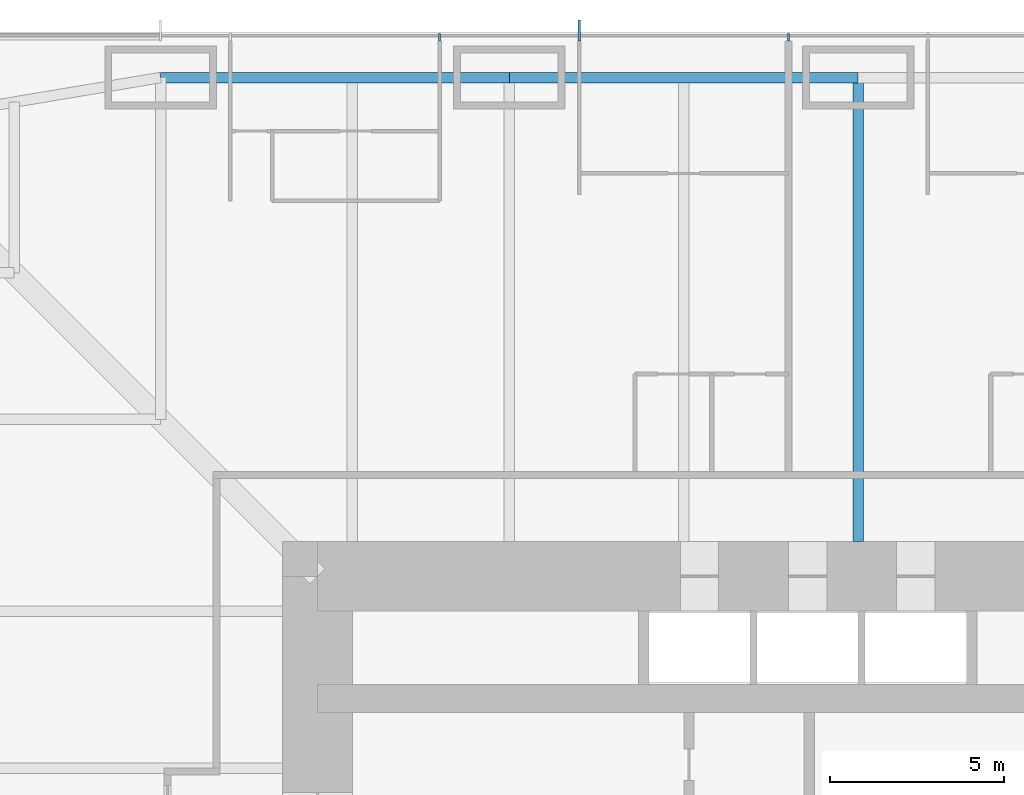
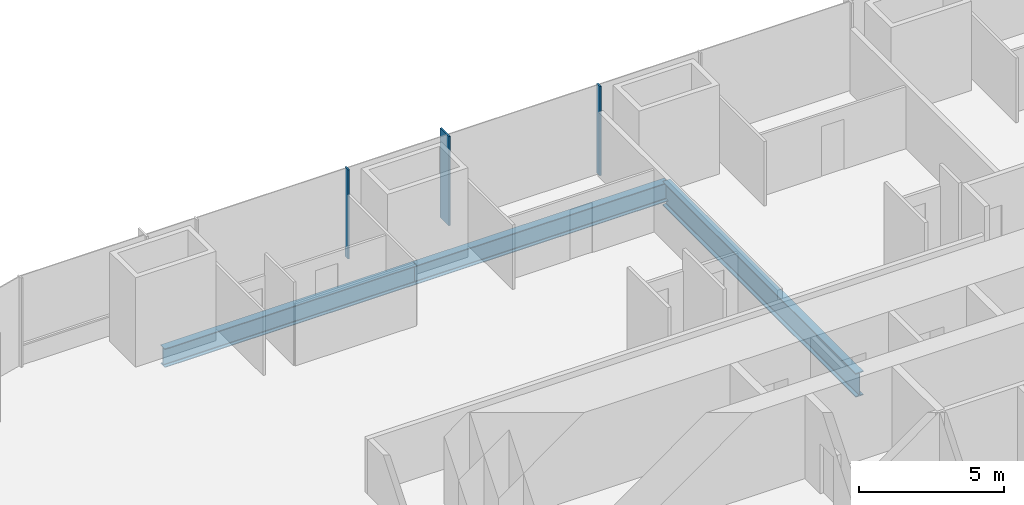
# One storey, part 7 of 17: 3 beams, 3 members, 1 element without a shape of its own.
"""IFC4 building model written with IfcOpenShell, lengths in metres."""

from ifc_helpers import new_model, si_unit, direction, frame, origin, origin_2d, place, context, subcontext, project, spatial, rectangle, i_section, extrude, material, material_profile, profile_set, type_object, element, aggregate, save


model = new_model("IFC4")

# Units and contexts
model_context = context("Model", 3, precision=1e-05, world=origin(), true_north=direction((0.0, 1.0)))
body_context = subcontext(model_context, "Body", "Model", "MODEL_VIEW")
ifc_project = project(units=[si_unit("LENGTHUNIT", "METRE"), si_unit("AREAUNIT", "SQUARE_METRE"), si_unit("VOLUMEUNIT", "CUBIC_METRE"), si_unit("PLANEANGLEUNIT", "RADIAN"), si_unit("MASSUNIT", "GRAM", prefix="KILO")], contexts=[model_context])

# Site, building, storey
site_placement = place(None, origin())
site = spatial("IfcSite", under=ifc_project, at=site_placement, CompositionType="ELEMENT")
building_placement = place(site_placement, origin())
building = spatial("IfcBuilding", under=site, at=building_placement, Name="Khuree Lantern Residences", CompositionType="ELEMENT")
storey_placement = place(building_placement, frame((0.0, 0.0, 84.75)))
storey = spatial("IfcBuildingStorey", under=building, at=storey_placement, Name="L21", CompositionType="ELEMENT", Elevation=84.75)

# Beams
ifc_material_1 = material(Name="Steel S355", Category="steel")
ifc_material_profile_1 = material_profile(ifc_material_1, i_section(OverallWidth=0.300048828125, OverallDepth=0.7900390625, WebThickness=0.014892578125, FlangeThickness=0.028076171875, FilletRadius=0.030029296875, at=origin_2d()), Name="HE 800 A")
ifc_profile_set_1 = profile_set([ifc_material_profile_1], Name="Steel S355")
beam_type_1 = type_object("IfcBeamType", Name="E-15 SPANDREL BEAM HE 800 A", PredefinedType="SPANDREL", material=ifc_profile_set_1)
for number, where, z_axis, x_axis, name in (
    (1, (-20.0, 29.800048828125, -0.64501953125), (1.0, 0.0, 0.0), (0.0, 1.0, 0.0), "Spandrel beam N1"),
    (2, (-10.0, 29.800048828125, -0.64501953125), (1.0, 0.0, 0.0), (0.0, 1.0, 0.0), "Spandrel beam N2"),
):
    element("IfcBeam", number, at=place(storey_placement, frame(where, z_axis=z_axis, x_axis=x_axis)), inside=storey, type_object=beam_type_1, Name=name, PredefinedType="SPANDREL", context=body_context, shape_type="SweptSolid", body=[
        extrude(i_section(OverallWidth=0.300048828125, OverallDepth=0.7900390625, WebThickness=0.014892578125, FlangeThickness=0.028076171875, FilletRadius=0.030029296875, at=origin_2d()), origin(), (0.0, 0.0, 1.0), 10.0),
    ])

# Curtain wall, member
ifc_material_2 = material(Name="Bronze anodised aluminium", Category="aluminium")
curtain_wall_type = type_object("IfcCurtainWallType", Name="CW-T1 TOWER FACE CURTAIN WALL", PredefinedType="USERDEFINED", material=ifc_material_2)
curtain_wall_placement = place(storey_placement, origin())
curtain_wall = element("IfcCurtainWall", 3, at=curtain_wall_placement, inside=storey, type_object=curtain_wall_type, Name="L21 NORTH FACE CURTAIN WALL", ObjectType="Stick-built curtain wall", PredefinedType="USERDEFINED")
ifc_material_profile_2 = material_profile(ifc_material_2, rectangle(XDim=0.06494140625, YDim=0.60009765625, at=origin_2d()), Name="F1 65X600")
ifc_profile_set_2 = profile_set([ifc_material_profile_2], Name="Bronze anodised aluminium")
member_type_1 = type_object("IfcMemberType", Name="F1 BRONZE FIN MULLION TOWER 65X600", PredefinedType="MULLION", material=ifc_profile_set_2)
member_1_placement = place(storey_placement, frame((-8.0, 31.14990234375, 0.0), z_axis=(0.0, 0.0, 1.0), x_axis=(-1.0, 0.0, 0.0)))
member_1 = element("IfcMember", 4, at=member_1_placement, type_object=member_type_1, Name="L21 NORTH FACE FIN MULLION 25", PredefinedType="MULLION", context=body_context, shape_type="SweptSolid", body=[
    extrude(rectangle(XDim=0.06494140625, YDim=0.60009765625, at=origin_2d()), origin(), (0.0, 0.0, 1.0), 3.75),
])

# Beam
ifc_material_profile_3 = material_profile(ifc_material_1, i_section(OverallWidth=0.302001953125, OverallDepth=1.008056640625, WebThickness=0.02099609375, FlangeThickness=0.0400390625, FilletRadius=0.030029296875, at=origin_2d()), Name="HE 1000 M")
ifc_profile_set_3 = profile_set([ifc_material_profile_3], Name="Steel S355")
beam_type_2 = type_object("IfcBeamType", Name="G-15 GIRDER HE 1000 M", PredefinedType="BEAM", material=ifc_profile_set_3)
beam_placement = place(storey_placement, frame((0.0, 29.800048828125, -0.75390625), z_axis=(0.0, -1.0, 0.0), x_axis=(1.0, 0.0, 0.0)))
element("IfcBeam", 5, at=beam_placement, inside=storey, type_object=beam_type_2, Name="Girder N3", PredefinedType="BEAM", context=body_context, shape_type="SweptSolid", body=[
    extrude(i_section(OverallWidth=0.302001953125, OverallDepth=1.008056640625, WebThickness=0.02099609375, FlangeThickness=0.0400390625, FilletRadius=0.030029296875, at=origin_2d()), origin(), (0.0, 0.0, 1.0), 13.300048828125),
])

# Member
ifc_material_profile_4 = material_profile(ifc_material_2, rectangle(XDim=0.06494140625, YDim=0.219970703125, at=origin_2d()), Name="M1 65X220")
ifc_profile_set_4 = profile_set([ifc_material_profile_4], Name="Bronze anodised aluminium")
member_type_2 = type_object("IfcMemberType", Name="M1 BRONZE MULLION TOWER 65X220", PredefinedType="MULLION", material=ifc_profile_set_4)
member_2_placement = place(storey_placement, frame((-2.0, 30.9599609375, 0.0), z_axis=(0.0, 0.0, 1.0), x_axis=(-1.0, 0.0, 0.0)))
member_2 = element("IfcMember", 6, at=member_2_placement, type_object=member_type_2, Name="L21 NORTH FACE MULLION 24", PredefinedType="MULLION", context=body_context, shape_type="SweptSolid", body=[
    extrude(rectangle(XDim=0.06494140625, YDim=0.219970703125, at=origin_2d()), origin(), (0.0, 0.0, 1.0), 3.75),
])

member_3_placement = place(storey_placement, frame((-12.0, 30.9599609375, 0.0), z_axis=(0.0, 0.0, 1.0), x_axis=(-1.0, 0.0, 0.0)))
member_3 = element("IfcMember", 7, at=member_3_placement, type_object=member_type_2, Name="L21 NORTH FACE MULLION 26", PredefinedType="MULLION", context=body_context, shape_type="SweptSolid", body=[
    extrude(rectangle(XDim=0.06494140625, YDim=0.219970703125, at=origin_2d()), origin(), (0.0, 0.0, 1.0), 3.75),
])

aggregate(curtain_wall, [member_2, member_1, member_3])

save(model, "model.ifc")
